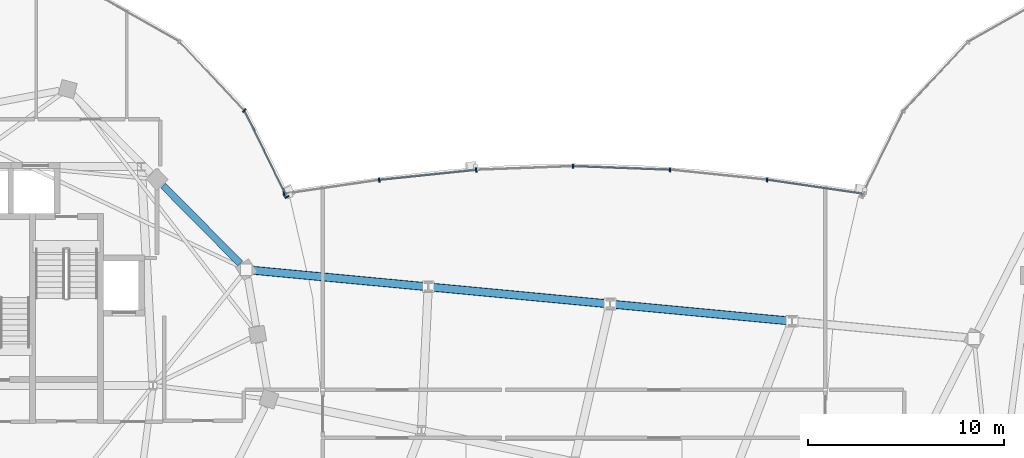
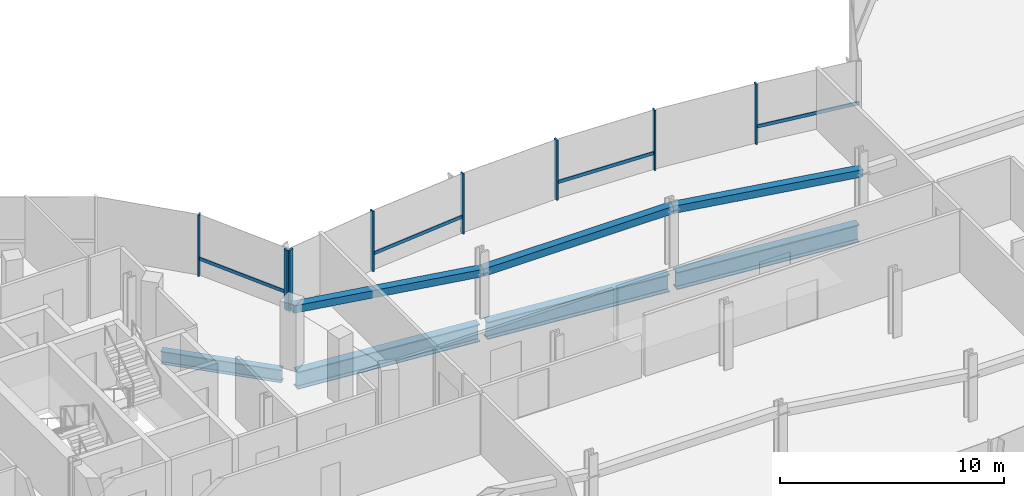
# One storey, part 7 of 25: 15 members, 4 beams, 2 elements without a shape of their own.
"""IFC4 building model written with IfcOpenShell, lengths in metres."""

import ifcopenshell
import ifcopenshell.guid

model = None  # the IFC model being written
_history = None  # IfcOwnerHistory: only IFC2X3 demands one
_inside = {}  # id of a spatial element -> (the spatial element, [elements in it])
_under = {}  # id of a project, library or spatial element -> (it, [spatial elements below it])
_declared = {}  # id of a project -> (the project, [libraries it declares])
_typed = {}  # id of a type object -> (the type object, [elements of that type])
_made_of = {}  # id of a material, layer set ... -> (it, [elements and type objects made of it])


def new_model(schema):
    """Start an empty IFC model of exactly this schema.

    Asked for "IFC4X3", IfcOpenShell would pick the latest addendum, in which some entities
    have other attributes; the version numbers below select the first issue.
    IFC2X3 requires an IfcOwnerHistory on every rooted entity: one is made here for all.
    """
    global model, _history
    if schema == "IFC4X3":
        model = ifcopenshell.file(schema_version=(4, 3, 0, 0))
    else:
        model = ifcopenshell.file(schema=schema)
    _inside.clear()
    _under.clear()
    _declared.clear()
    _typed.clear()
    _made_of.clear()
    _history = None
    if model.schema == "IFC2X3":
        org = make("IfcOrganization", Name="unknown")
        user = make(
            "IfcPersonAndOrganization",
            ThePerson=make("IfcPerson", FamilyName="unknown"),
            TheOrganization=org,
        )
        app = make(
            "IfcApplication",
            ApplicationDeveloper=org,
            Version="unknown",
            ApplicationFullName="unknown",
            ApplicationIdentifier="unknown",
        )
        _history = make(
            "IfcOwnerHistory",
            OwningUser=user,
            OwningApplication=app,
            ChangeAction="ADDED",
            CreationDate=0,
        )
    return model


def make(cls, **values):
    """One entity of the class cls with the attributes given. An attribute that is None is left unset."""
    return model.create_entity(
        cls, **{name: value for name, value in values.items() if value is not None}
    )


def rooted(cls, **values):
    """An entity with a GlobalId (a new one), such as an element, a storey or a relation."""
    return make(cls, GlobalId=ifcopenshell.guid.new(), OwnerHistory=_history, **values)


def si_unit(unit_type, name, prefix=None):
    """IfcSIUnit, for example si_unit("LENGTHUNIT", "METRE", prefix="MILLI")."""
    return make("IfcSIUnit", UnitType=unit_type, Prefix=prefix, Name=name)


def assignment(units):
    """IfcUnitAssignment: the units of a project."""
    return None if units is None else make("IfcUnitAssignment", Units=units)


def point(xyz):
    """IfcCartesianPoint."""
    return None if xyz is None else make("IfcCartesianPoint", Coordinates=xyz)


def direction(xyz):
    """IfcDirection."""
    return None if xyz is None else make("IfcDirection", DirectionRatios=xyz)


def frame(location, z_axis=None, x_axis=None):
    """IfcAxis2Placement3D, a coordinate frame: its origin and axes. An axis left out is left unset."""
    return make(
        "IfcAxis2Placement3D",
        Location=point(location),
        Axis=direction(z_axis),
        RefDirection=direction(x_axis),
    )


def frame_2d(location, x_axis=None):
    """IfcAxis2Placement2D, a coordinate frame in the plane: its origin and x axis."""
    return make(
        "IfcAxis2Placement2D", Location=point(location), RefDirection=direction(x_axis)
    )


def origin():
    """The frame at (0, 0, 0) with its axes left unset."""
    return frame((0.0, 0.0, 0.0))


def origin_2d():
    """The frame at (0, 0) in the plane with its x axis left unset."""
    return frame_2d((0.0, 0.0))


def place(relative_to, where):
    """IfcLocalPlacement: puts the frame where relative to a parent placement (None: the world)."""
    return make(
        "IfcLocalPlacement", PlacementRelTo=relative_to, RelativePlacement=where
    )


def context(
    kind, dimensions, precision=None, world=None, true_north=None, identifier=None
):
    """IfcGeometricRepresentationContext, for example the 3D "Model" context."""
    return make(
        "IfcGeometricRepresentationContext",
        ContextIdentifier=identifier,
        ContextType=kind,
        CoordinateSpaceDimension=dimensions,
        Precision=precision,
        WorldCoordinateSystem=world,
        TrueNorth=true_north,
    )


def subcontext(parent, identifier, kind, view, scale=None):
    """IfcGeometricRepresentationSubContext, for example "Body" below "Model"."""
    return make(
        "IfcGeometricRepresentationSubContext",
        ContextIdentifier=identifier,
        ContextType=kind,
        ParentContext=parent,
        TargetScale=scale,
        TargetView=view,
    )


def project(units=None, contexts=None):
    """IfcProject with its units and contexts."""
    return rooted(
        "IfcProject",
        Name="project",
        RepresentationContexts=contexts,
        UnitsInContext=assignment(units),
    )


def spatial(cls, under=None, at=None, **own):
    """A site, building, storey or space (cls), placed at a placement, below another one or the project."""
    s = rooted(cls, ObjectPlacement=at, **own)
    if under is not None:
        _under.setdefault(under.id(), (under, []))[1].append(s)
    return s


def profile(cls, at=None, kind="AREA", **sizes):
    """A parametric profile (cls). Its sizes go by their IFC names, for example OverallWidth=200.0."""
    return make(cls, ProfileType=kind, Position=at, **sizes)


def rectangle(**sizes):
    """IfcRectangleProfileDef."""
    return profile("IfcRectangleProfileDef", **sizes)


def hollow_rectangle(**sizes):
    """IfcRectangleHollowProfileDef."""
    return profile("IfcRectangleHollowProfileDef", **sizes)


def i_section(**sizes):
    """IfcIShapeProfileDef."""
    return profile("IfcIShapeProfileDef", **sizes)


def extrude(swept, where, along, depth):
    """IfcExtrudedAreaSolid: the profile swept, set in the frame where, extruded along a direction by depth."""
    return make(
        "IfcExtrudedAreaSolid",
        SweptArea=swept,
        Position=where,
        ExtrudedDirection=direction(along),
        Depth=depth,
    )


def shape(context_of_items, identifier, shape_type, items):
    """IfcShapeRepresentation: the items that make up one representation, for example the "Body"."""
    return make(
        "IfcShapeRepresentation",
        ContextOfItems=context_of_items,
        RepresentationIdentifier=identifier,
        RepresentationType=shape_type,
        Items=items,
    )


def material(Name=None, Category=None):
    """IfcMaterial."""
    return make("IfcMaterial", Name=Name, Category=Category)


def material_profile(
    of_material, cross_section, Name=None, Category=None, Priority=None
):
    """IfcMaterialProfile: a cross section and its material."""
    return make(
        "IfcMaterialProfile",
        Name=Name,
        Material=of_material,
        Profile=cross_section,
        Priority=Priority,
        Category=Category,
    )


def profile_set(profiles, Name=None, composite=None):
    """IfcMaterialProfileSet."""
    return make(
        "IfcMaterialProfileSet",
        Name=Name,
        MaterialProfiles=profiles,
        CompositeProfile=composite,
    )


def made_of(thing, what):
    """Note that an element or type object is made of a material, layer set ...; save() writes the relation."""
    if what is not None:
        _made_of.setdefault(what.id(), (what, []))[1].append(thing)
    return thing


def type_object(cls, material=None, **own):
    """A type object (cls), such as IfcWallType, which elements share."""
    return made_of(rooted(cls, **own), material)


def element(
    cls,
    number,
    at=None,
    inside=None,
    cuts=None,
    type_object=None,
    material=None,
    context=None,
    identifier="Body",
    shape_type=None,
    held_by="IfcProductDefinitionShape",
    body=None,
    shapes=None,
    **own,
):
    """One element of the class cls, such as IfcWall. Its Tag is "e" and its number.

    at: its placement. inside: the storey or other place that contains it. cuts: it is an
    opening in that element (IfcRelVoidsElement). A single representation is given by context,
    identifier, shape_type and body (its items); several are given by shapes. held_by: the class
    of the entity that holds the representations. save() writes the other relations.
    """
    e = rooted(cls, Tag="e%d" % number, ObjectPlacement=at, **own)
    if body is not None:
        shapes = [shape(context, identifier, shape_type, body)]
    if shapes is not None:
        e.Representation = make(held_by, Representations=shapes)
    if inside is not None:
        _inside.setdefault(inside.id(), (inside, []))[1].append(e)
    if cuts is not None:
        rooted(
            "IfcRelVoidsElement", RelatingBuildingElement=cuts, RelatedOpeningElement=e
        )
    if type_object is not None:
        _typed.setdefault(type_object.id(), (type_object, []))[1].append(e)
    return made_of(e, material)


def aggregate(whole, parts):
    """IfcRelAggregates: a whole, such as a stair, and the parts it consists of."""
    return rooted("IfcRelAggregates", RelatingObject=whole, RelatedObjects=parts)


def save(model, path):
    """Write the relations noted so far, then the file.

    IfcRelAggregates (storeys below a building ...), IfcRelContainedInSpatialStructure (elements
    in a storey), IfcRelDefinesByType, IfcRelAssociatesMaterial and IfcRelDeclares: one each for
    every whole, place, type object, material and project.
    """
    for whole, parts in _under.values():
        aggregate(whole, parts)
    for where, things in _inside.values():
        rooted(
            "IfcRelContainedInSpatialStructure",
            RelatedElements=things,
            RelatingStructure=where,
        )
    for kind, things in _typed.values():
        rooted("IfcRelDefinesByType", RelatedObjects=things, RelatingType=kind)
    for what, things in _made_of.values():
        rooted("IfcRelAssociatesMaterial", RelatedObjects=things, RelatingMaterial=what)
    for by, libraries in _declared.values():
        rooted("IfcRelDeclares", RelatingContext=by, RelatedDefinitions=libraries)
    model.write(path)


model = new_model("IFC4")

# Units and contexts
model_context = context("Model", 3, precision=1e-05, world=origin(), true_north=direction((0.0, 1.0)))
body_context = subcontext(model_context, "Body", "Model", "MODEL_VIEW")
ifc_project = project(units=[si_unit("LENGTHUNIT", "METRE"), si_unit("AREAUNIT", "SQUARE_METRE"), si_unit("VOLUMEUNIT", "CUBIC_METRE"), si_unit("PLANEANGLEUNIT", "RADIAN"), si_unit("MASSUNIT", "GRAM", prefix="KILO"), si_unit("THERMODYNAMICTEMPERATUREUNIT", "KELVIN"), si_unit("POWERUNIT", "WATT")], contexts=[model_context])

# Site, building, storey
site_placement = place(None, origin())
site = spatial("IfcSite", under=ifc_project, at=site_placement, CompositionType="ELEMENT")
building_placement = place(site_placement, origin())
building = spatial("IfcBuilding", under=site, at=building_placement, Name="Cundina Bronze Exchange", CompositionType="ELEMENT")
storey_placement = place(building_placement, frame((0.0, 0.0, 239.60009765625)))
storey = spatial("IfcBuildingStorey", under=building, at=storey_placement, Name="L63", CompositionType="ELEMENT", Elevation=239.60009765625)

# Beams
ifc_material_1 = material(Name="Steel ASTM A992 Grade 50", Category="steel")
ifc_material_profile_1 = material_profile(ifc_material_1, i_section(OverallWidth=0.35498046875, OverallDepth=0.695068359375, WebThickness=0.015380859375, FlangeThickness=0.02490234375, FilletRadius=0.01806640625, at=origin_2d()), Name="W27X146", Category="steel")
ifc_profile_set_1 = profile_set([ifc_material_profile_1], Name="Steel ASTM A992 Grade 50")
beam_type_1 = type_object("IfcBeamType", Name="BM-RING-W27", PredefinedType="USERDEFINED", material=ifc_profile_set_1)
beam_1_placement = place(storey_placement, frame((-17.008056640625, 10.111328125, -0.607666015625), z_axis=(-0.703211928763, 0.710980297368, 0.0), x_axis=(-0.710980297368, -0.703211928763, 0.0)))
element("IfcBeam", 1, at=beam_1_placement, inside=storey, type_object=beam_type_1, Name="L63 W Perimeter Ring Girder 02", ObjectType="GIRDER", PredefinedType="USERDEFINED", context=body_context, shape_type="SweptSolid", body=[
    extrude(i_section(OverallWidth=0.35498046875, OverallDepth=0.695068359375, WebThickness=0.015380859375, FlangeThickness=0.02490234375, FilletRadius=0.01806640625, at=origin_2d()), origin(), (0.0, 0.0, 1.0), 5.593994140625),
])
ifc_material_profile_2 = material_profile(ifc_material_1, i_section(OverallWidth=0.423095703125, OverallDepth=0.947998046875, WebThickness=0.02392578125, FlangeThickness=0.042724609375, FilletRadius=0.02392578125, at=origin_2d()), Name="W36X302", Category="steel")
ifc_profile_set_2 = profile_set([ifc_material_profile_2], Name="Steel ASTM A992 Grade 50")
beam_type_2 = type_object("IfcBeamType", Name="BM-WRN-W36A", PredefinedType="USERDEFINED", material=ifc_profile_set_2)
beam_2_placement = place(storey_placement, frame((-16.520751953125, 9.783203125, -0.794189453125), z_axis=(0.995572136276, -0.094000646124, 0.0), x_axis=(0.094000646124, 0.995572136276, 0.0)))
element("IfcBeam", 2, at=beam_2_placement, inside=storey, type_object=beam_type_2, Name="L63 Sky-Gate Longitudinal Girder Y3-P1", ObjectType="GIRDER", PredefinedType="USERDEFINED", context=body_context, shape_type="SweptSolid", body=[
    extrude(i_section(OverallWidth=0.423095703125, OverallDepth=0.947998046875, WebThickness=0.02392578125, FlangeThickness=0.042724609375, FilletRadius=0.02392578125, at=origin_2d()), origin(), (0.0, 0.0, 1.0), 8.949951171875),
])
beam_3_placement = place(storey_placement, frame((-7.251953125, 8.908203125, -0.794189453125), z_axis=(0.995571895232, -0.094003199007, 0.0), x_axis=(0.094003199007, 0.995571895232, 0.0)))
element("IfcBeam", 3, at=beam_3_placement, inside=storey, type_object=beam_type_2, Name="L63 Sky-Gate Longitudinal Girder Y3-P2", ObjectType="GIRDER", PredefinedType="USERDEFINED", context=body_context, shape_type="SweptSolid", body=[
    extrude(i_section(OverallWidth=0.423095703125, OverallDepth=0.947998046875, WebThickness=0.02392578125, FlangeThickness=0.042724609375, FilletRadius=0.02392578125, at=origin_2d()), origin(), (0.0, 0.0, 1.0), 8.94970703125),
])
beam_4_placement = place(storey_placement, frame((2.0166015625, 8.033203125, -0.794189453125), z_axis=(0.995572136276, -0.094000646124, 0.0), x_axis=(0.094000646124, 0.995572136276, 0.0)))
element("IfcBeam", 4, at=beam_4_placement, inside=storey, type_object=beam_type_2, Name="L63 Sky-Gate Longitudinal Girder Y3-P3", ObjectType="GIRDER", PredefinedType="USERDEFINED", context=body_context, shape_type="SweptSolid", body=[
    extrude(i_section(OverallWidth=0.423095703125, OverallDepth=0.947998046875, WebThickness=0.02392578125, FlangeThickness=0.042724609375, FilletRadius=0.02392578125, at=origin_2d()), origin(), (0.0, 0.0, 1.0), 8.949951171875),
])

# Curtain wall, members
ifc_material_2 = material(Name="Anodised Bronze Aluminium 6063-T6", Category="aluminium")
curtain_wall_type = type_object("IfcCurtainWallType", Name="CWS-SKG-BRG", PredefinedType="NOTDEFINED", material=ifc_material_2)
curtain_wall_1_placement = place(storey_placement, origin())
curtain_wall_1 = element("IfcCurtainWall", 5, at=curtain_wall_1_placement, inside=storey, type_object=curtain_wall_type, Name="L63 CW-06 Curtain Wall Run CWR-L63-W1", PredefinedType="NOTDEFINED")
ifc_material_profile_3 = material_profile(ifc_material_2, rectangle(XDim=0.074951171875, YDim=0.219970703125, at=origin_2d()), Name="AL75X220", Category="aluminium")
ifc_profile_set_3 = profile_set([ifc_material_profile_3], Name="Anodised Bronze Aluminium 6063-T6")
member_type_1 = type_object("IfcMemberType", Name="CWM-MUL-220", PredefinedType="MULLION", material=ifc_profile_set_3)
member_1_placement = place(storey_placement, frame((-14.630859375, 13.50390625, 0.0), z_axis=(0.0, 0.0, 1.0), x_axis=(-0.440566004113, 0.897720221461, 0.0)))
member_1 = element("IfcMember", 6, at=member_1_placement, type_object=member_type_1, Name="CW-06 Mullion 1", PredefinedType="MULLION", context=body_context, shape_type="SweptSolid", body=[
    extrude(rectangle(XDim=0.074951171875, YDim=0.219970703125, at=origin_2d()), origin(), (0.0, 0.0, 1.0), 3.33984375),
])
member_2_placement = place(storey_placement, frame((-16.8037109375, 17.910400390625, 0.0), z_axis=(0.0, 0.0, 1.0), x_axis=(-0.684292606175, 0.729207535023, 0.0)))
member_2 = element("IfcMember", 7, at=member_2_placement, type_object=member_type_1, Name="CW-06 Mullion 2", PredefinedType="MULLION", context=body_context, shape_type="SweptSolid", body=[
    extrude(rectangle(XDim=0.074951171875, YDim=0.219970703125, at=origin_2d()), origin(), (0.0, 0.0, 1.0), 3.33984375),
])

curtain_wall_2_placement = place(storey_placement, origin())
curtain_wall_2 = element("IfcCurtainWall", 8, at=curtain_wall_2_placement, inside=storey, type_object=curtain_wall_type, Name="L63 CW-06 Curtain Wall Run CWR-L63-BRGN", PredefinedType="NOTDEFINED")
member_3_placement = place(storey_placement, frame((9.83447265625, 14.378173828125, 0.0), z_axis=(0.0, 0.0, 1.0), x_axis=(-0.994666875153, 0.103139747302, 0.0)))
member_3 = element("IfcMember", 9, at=member_3_placement, type_object=member_type_1, Name="CW-06 Mullion 2", PredefinedType="MULLION", context=body_context, shape_type="SweptSolid", body=[
    extrude(rectangle(XDim=0.074951171875, YDim=0.219970703125, at=origin_2d()), origin(), (0.0, 0.0, 1.0), 3.27978515625),
])
member_4_placement = place(storey_placement, frame((4.892578125, 14.88720703125, 0.0), z_axis=(0.0, 0.0, 1.0), x_axis=(-0.999302568116, 0.037341362551, 0.0)))
member_4 = element("IfcMember", 10, at=member_4_placement, type_object=member_type_1, Name="CW-06 Mullion 3", PredefinedType="MULLION", context=body_context, shape_type="SweptSolid", body=[
    extrude(rectangle(XDim=0.074951171875, YDim=0.219970703125, at=origin_2d()), origin(), (0.0, 0.0, 1.0), 3.27978515625),
])
member_5_placement = place(storey_placement, frame((-0.047607421875, 15.068115234375, 0.0), z_axis=(0.0, 0.0, 1.0), x_axis=(-0.999302568116, -0.037341362551, 0.0)))
member_5 = element("IfcMember", 11, at=member_5_placement, type_object=member_type_1, Name="CW-06 Mullion 4", PredefinedType="MULLION", context=body_context, shape_type="SweptSolid", body=[
    extrude(rectangle(XDim=0.074951171875, YDim=0.219970703125, at=origin_2d()), origin(), (0.0, 0.0, 1.0), 3.27978515625),
])
member_6_placement = place(storey_placement, frame((-4.98876953125, 14.88037109375, 0.0), z_axis=(0.0, 0.0, 1.0), x_axis=(-0.994666875153, -0.103139747302, 0.0)))
member_6 = element("IfcMember", 12, at=member_6_placement, type_object=member_type_1, Name="CW-06 Mullion 5", PredefinedType="MULLION", context=body_context, shape_type="SweptSolid", body=[
    extrude(rectangle(XDim=0.074951171875, YDim=0.219970703125, at=origin_2d()), origin(), (0.0, 0.0, 1.0), 3.27978515625),
])
member_7_placement = place(storey_placement, frame((-9.93310546875, 14.36572265625, 0.0), z_axis=(0.0, 0.0, 1.0), x_axis=(-0.989525789069, -0.144356201001, 0.0)))
member_7 = element("IfcMember", 13, at=member_7_placement, type_object=member_type_1, Name="CW-06 Mullion 6", PredefinedType="MULLION", context=body_context, shape_type="SweptSolid", body=[
    extrude(rectangle(XDim=0.074951171875, YDim=0.219970703125, at=origin_2d()), origin(), (0.0, 0.0, 1.0), 3.27978515625),
])
member_8_placement = place(storey_placement, frame((-14.779296875, 13.658935546875, 0.0), z_axis=(0.0, 0.0, 1.0), x_axis=(-0.989525789069, -0.144356201001, 0.0)))
member_8 = element("IfcMember", 14, at=member_8_placement, type_object=member_type_1, Name="CW-06 End Mullion", PredefinedType="MULLION", context=body_context, shape_type="SweptSolid", body=[
    extrude(rectangle(XDim=0.074951171875, YDim=0.219970703125, at=origin_2d()), origin(), (0.0, 0.0, 1.0), 3.27978515625),
])

# Member
ifc_material_profile_4 = material_profile(ifc_material_2, rectangle(XDim=0.070068359375, YDim=0.179931640625, at=origin_2d()), Name="AL70X180", Category="aluminium")
ifc_profile_set_4 = profile_set([ifc_material_profile_4], Name="Anodised Bronze Aluminium 6063-T6")
member_type_2 = type_object("IfcMemberType", Name="CWM-TRN-180", PredefinedType="USERDEFINED", material=ifc_profile_set_4)
member_9_placement = place(storey_placement, frame((-14.64892578125, 13.541015625, 0.919921875), z_axis=(-0.440554408939, 0.897725911826, 0.0), x_axis=(-0.897725911826, -0.440554408939, 0.0)))
member_9 = element("IfcMember", 15, at=member_9_placement, type_object=member_type_2, Name="CW-06 Spandrel Transom 1", ObjectType="TRANSOM", PredefinedType="USERDEFINED", context=body_context, shape_type="SweptSolid", body=[
    extrude(rectangle(XDim=0.070068359375, YDim=0.179931640625, at=origin_2d()), origin(), (0.0, 0.0, 1.0), 4.848388671875),
])

aggregate(curtain_wall_1, [member_1, member_9, member_2])

member_10_placement = place(storey_placement, frame((14.738525390625, 13.664794921875, 0.918212890625), z_axis=(-0.989531497997, 0.144317062302, 0.0), x_axis=(-0.144317062302, -0.989531497997, 0.0)))
member_10 = element("IfcMember", 16, at=member_10_placement, type_object=member_type_2, Name="CW-06 Spandrel Transom 1", ObjectType="TRANSOM", PredefinedType="USERDEFINED", context=body_context, shape_type="SweptSolid", body=[
    extrude(rectangle(XDim=0.070068359375, YDim=0.179931640625, at=origin_2d()), origin(), (0.0, 0.0, 1.0), 4.8974609375),
])

member_11_placement = place(storey_placement, frame((4.8515625, 14.888671875, 0.918212890625), z_axis=(-0.999303683555, 0.037311500026, 0.0), x_axis=(-0.037311500026, -0.999303683555, 0.0)))
member_11 = element("IfcMember", 17, at=member_11_placement, type_object=member_type_2, Name="CW-06 Spandrel Transom 3", ObjectType="TRANSOM", PredefinedType="USERDEFINED", context=body_context, shape_type="SweptSolid", body=[
    extrude(rectangle(XDim=0.070068359375, YDim=0.179931640625, at=origin_2d()), origin(), (0.0, 0.0, 1.0), 4.8486328125),
])

member_12_placement = place(storey_placement, frame((-5.02978515625, 14.8759765625, 0.918212890625), z_axis=(-0.994672497027, -0.103085516243, 0.0), x_axis=(0.103085516243, -0.994672497027, 0.0)))
member_12 = element("IfcMember", 18, at=member_12_placement, type_object=member_type_2, Name="CW-06 Spandrel Transom 5", ObjectType="TRANSOM", PredefinedType="USERDEFINED", context=body_context, shape_type="SweptSolid", body=[
    extrude(rectangle(XDim=0.070068359375, YDim=0.179931640625, at=origin_2d()), origin(), (0.0, 0.0, 1.0), 4.87158203125),
])

aggregate(curtain_wall_2, [member_10, member_3, member_4, member_11, member_5, member_6, member_12, member_7, member_8])

# Members
ifc_material_3 = material(Name="Steel ASTM A500 Grade C", Category="steel")
ifc_material_profile_5 = material_profile(ifc_material_3, hollow_rectangle(XDim=0.39990234375, YDim=0.39990234375, WallThickness=0.02197265625, at=origin_2d()), Name="HSS400X400X22", Category="steel")
ifc_profile_set_5 = profile_set([ifc_material_profile_5], Name="Steel ASTM A500 Grade C")
member_type_3 = type_object("IfcMemberType", Name="MBR-WRN-HSS400", PredefinedType="BRACE", material=ifc_profile_set_5)
member_13_placement = place(storey_placement, frame((-16.699951171875, 9.800048828125, 3.1298828125), z_axis=(0.992691432213, -0.093712790545, -0.07603705215), x_axis=(0.093984877441, 0.995573625008, 0.0)))
element("IfcMember", 19, at=member_13_placement, inside=storey, type_object=member_type_3, Name="L63 Sky-Gate Warren Truss Diagonal Y3-P1", PredefinedType="BRACE", context=body_context, shape_type="SweptSolid", body=[
    extrude(hollow_rectangle(XDim=0.39990234375, YDim=0.39990234375, WallThickness=0.02197265625, at=origin_2d()), origin(), (0.0, 0.0, 1.0), 9.337158203125),
])
member_14_placement = place(storey_placement, frame((-7.43115234375, 8.925048828125, 2.419921875), z_axis=(0.992691051392, -0.093715223058, 0.076039025852), x_axis=(0.093987331204, 0.995573393363, 0.0)))
element("IfcMember", 20, at=member_14_placement, inside=storey, type_object=member_type_3, Name="L63 Sky-Gate Warren Truss Diagonal Y3-P2", PredefinedType="BRACE", context=body_context, shape_type="SweptSolid", body=[
    extrude(hollow_rectangle(XDim=0.39990234375, YDim=0.39990234375, WallThickness=0.02197265625, at=origin_2d()), origin(), (0.0, 0.0, 1.0), 9.3369140625),
])
member_15_placement = place(storey_placement, frame((1.83740234375, 8.050048828125, 3.1298828125), z_axis=(0.992691432213, -0.093712790545, -0.07603705215), x_axis=(0.093984877441, 0.995573625008, 0.0)))
element("IfcMember", 21, at=member_15_placement, inside=storey, type_object=member_type_3, Name="L63 Sky-Gate Warren Truss Diagonal Y3-P3", PredefinedType="BRACE", context=body_context, shape_type="SweptSolid", body=[
    extrude(hollow_rectangle(XDim=0.39990234375, YDim=0.39990234375, WallThickness=0.02197265625, at=origin_2d()), origin(), (0.0, 0.0, 1.0), 9.337158203125),
])

save(model, "model.ifc")
